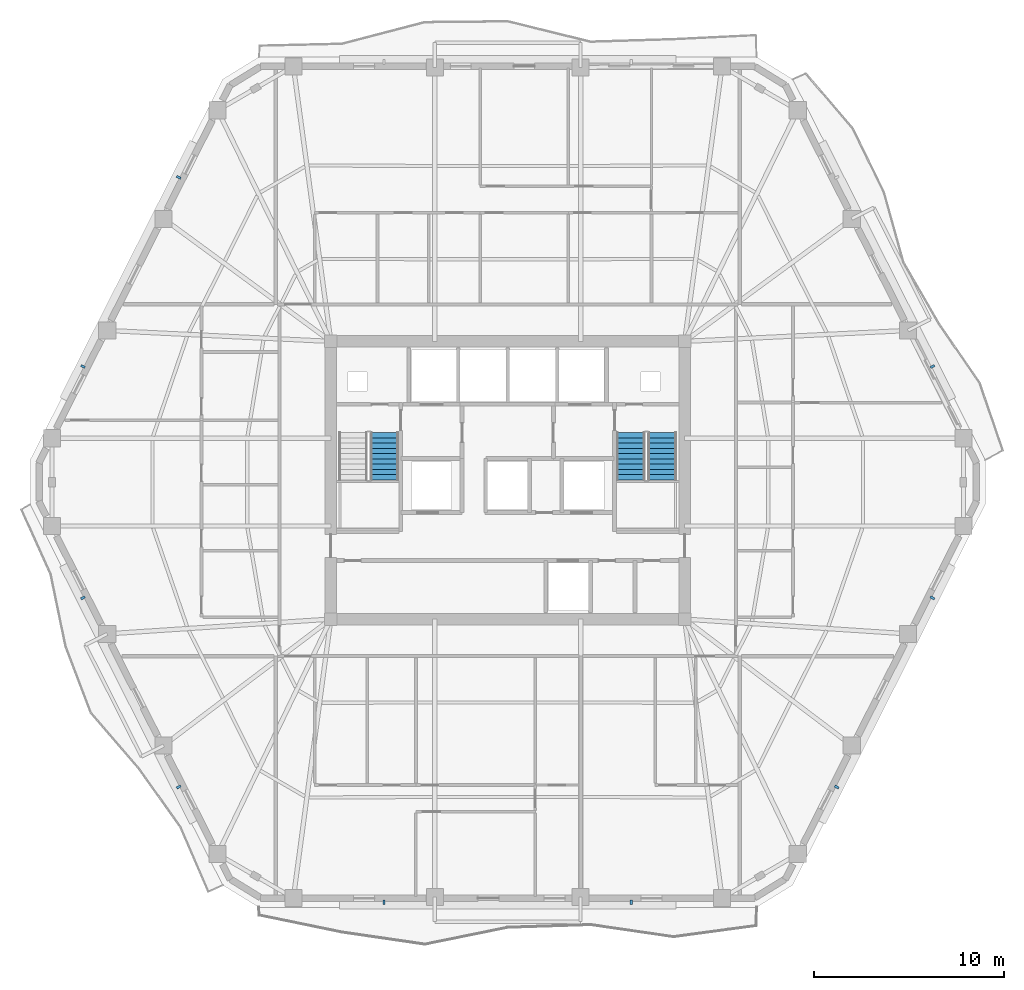
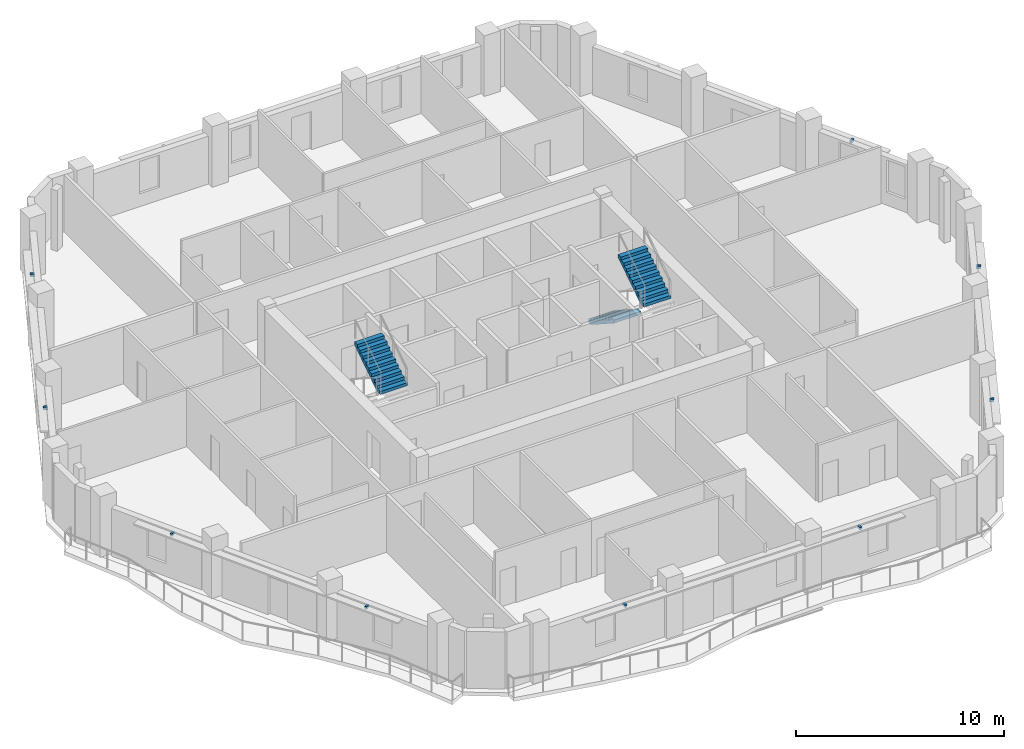
# One storey, part 8 of 12: 9 discrete accessories, 3 stair flights, 2 elements without a shape of their own.
"""IFC4 building model written with IfcOpenShell, lengths in metres."""

from ifc_helpers import new_model, si_unit, direction, frame, origin, origin_2d, place, context, subcontext, project, spatial, polyline, rectangle, outline, extrude, material, type_object, element, aggregate, save


model = new_model("IFC4")

# Units and contexts
model_context = context("Model", 3, precision=1e-05, world=origin(), true_north=direction((0.0, 1.0)))
body_context = subcontext(model_context, "Body", "Model", "MODEL_VIEW")
ifc_project = project(units=[si_unit("LENGTHUNIT", "METRE"), si_unit("AREAUNIT", "SQUARE_METRE"), si_unit("VOLUMEUNIT", "CUBIC_METRE"), si_unit("PLANEANGLEUNIT", "RADIAN"), si_unit("MASSUNIT", "GRAM", prefix="KILO")], contexts=[model_context])

# Site, building, storey
site_placement = place(None, origin())
site = spatial("IfcSite", under=ifc_project, at=site_placement, CompositionType="ELEMENT")
building_placement = place(site_placement, origin())
building = spatial("IfcBuilding", under=site, at=building_placement, Name="Cinnabar Lancet Tower", CompositionType="ELEMENT")
storey_placement = place(building_placement, frame((0.0, 0.0, 157.050048828125)))
storey = spatial("IfcBuildingStorey", under=building, at=storey_placement, Name="L41", CompositionType="ELEMENT", Elevation=157.050048828125)

# Stair, stair flight
ifc_material_1 = material(Name="Concrete C40/50", Category="concrete")
stair_type = type_object("IfcStairType", Name="ST-CORE", PredefinedType="HALF_TURN_STAIR", material=ifc_material_1)
stair_1_placement = place(storey_placement, origin())
stair_1 = element("IfcStair", 1, at=stair_1_placement, inside=storey, type_object=stair_type, Name="L41 ST-1", PredefinedType="HALF_TURN_STAIR")
ifc_material_2 = material(Name="Concrete C40/50", Category="concrete")
stair_flight_type = type_object("IfcStairFlightType", Name="FLIGHT-CORE", PredefinedType="STRAIGHT", material=ifc_material_2)
stair_flight_1_placement = place(storey_placement, frame((25.925048828125, 25.925048828125, 1.77490234375), z_axis=(0.0, 0.0, 1.0), x_axis=(0.0, 1.0, 0.0)))
stair_flight_1 = element("IfcStairFlight", 2, at=stair_flight_1_placement, type_object=stair_flight_type, Name="ST-1 flight 2", NumberOfRisers=10, NumberOfTreads=9, PredefinedType="STRAIGHT", RiserHeight=0.1775, TreadLength=0.275, context=body_context, shape_type="SweptSolid", body=[
    extrude(outline(polyline([(0.0, 0.0), (0.0, 0.177490234375), (0.27490234375, 0.177490234375), (0.27490234375, 0.35498046875), (0.550048828125, 0.35498046875), (0.550048828125, 0.532470703125), (0.824951171875, 0.532470703125), (0.824951171875, 0.7099609375), (1.10009765625, 0.7099609375), (1.10009765625, 0.887451171875), (1.375, 0.887451171875), (1.375, 1.06494140625), (1.64990234375, 1.06494140625), (1.64990234375, 1.242431640625), (1.925048828125, 1.242431640625), (1.925048828125, 1.419921875), (2.199951171875, 1.419921875), (2.199951171875, 1.597412109375), (2.47509765625, 1.597412109375), (2.47509765625, 1.77490234375), (2.47509765625, 1.419189453125), (0.2763671875, 0.0), (0.0, 0.0)])), frame((0.0, 0.75, 0.0), z_axis=(0.0, -1.0, 0.0), x_axis=(1.0, 0.0, 0.0)), (0.0, 0.0, 1.0), 1.5),
])
aggregate(stair_1, [stair_flight_1])

# Stair, stair flights
stair_2_placement = place(storey_placement, origin())
stair_2 = element("IfcStair", 3, at=stair_2_placement, inside=storey, type_object=stair_type, Name="L41 ST-2", PredefinedType="HALF_TURN_STAIR")
stair_flight_2_placement = place(storey_placement, frame((38.875, 28.39990234375, 0.0), z_axis=(0.0, 0.0, 1.0), x_axis=(0.0, -1.0, 0.0)))
stair_flight_2 = element("IfcStairFlight", 4, at=stair_flight_2_placement, type_object=stair_flight_type, Name="ST-2 flight 1", NumberOfRisers=10, NumberOfTreads=9, PredefinedType="STRAIGHT", RiserHeight=0.1775, TreadLength=0.275, context=body_context, shape_type="SweptSolid", body=[
    extrude(outline(polyline([(0.0, 0.0), (0.0, 0.177490234375), (0.27490234375, 0.177490234375), (0.27490234375, 0.35498046875), (0.550048828125, 0.35498046875), (0.550048828125, 0.532470703125), (0.824951171875, 0.532470703125), (0.824951171875, 0.7099609375), (1.10009765625, 0.7099609375), (1.10009765625, 0.887451171875), (1.375, 0.887451171875), (1.375, 1.06494140625), (1.64990234375, 1.06494140625), (1.64990234375, 1.242431640625), (1.925048828125, 1.242431640625), (1.925048828125, 1.419921875), (2.199951171875, 1.419921875), (2.199951171875, 1.597412109375), (2.47509765625, 1.597412109375), (2.47509765625, 1.77490234375), (2.47509765625, 1.419189453125), (0.2763671875, 0.0), (0.0, 0.0)])), frame((0.0, 0.75, 0.0), z_axis=(0.0, -1.0, 0.0), x_axis=(1.0, 0.0, 0.0)), (0.0, 0.0, 1.0), 1.5),
])
stair_flight_3_placement = place(storey_placement, frame((40.52490234375, 25.925048828125, 1.77490234375), z_axis=(0.0, 0.0, 1.0), x_axis=(0.0, 1.0, 0.0)))
stair_flight_3 = element("IfcStairFlight", 5, at=stair_flight_3_placement, type_object=stair_flight_type, Name="ST-2 flight 2", NumberOfRisers=10, NumberOfTreads=9, PredefinedType="STRAIGHT", RiserHeight=0.1775, TreadLength=0.275, context=body_context, shape_type="SweptSolid", body=[
    extrude(outline(polyline([(0.0, 0.0), (0.0, 0.177490234375), (0.27490234375, 0.177490234375), (0.27490234375, 0.35498046875), (0.550048828125, 0.35498046875), (0.550048828125, 0.532470703125), (0.824951171875, 0.532470703125), (0.824951171875, 0.7099609375), (1.10009765625, 0.7099609375), (1.10009765625, 0.887451171875), (1.375, 0.887451171875), (1.375, 1.06494140625), (1.64990234375, 1.06494140625), (1.64990234375, 1.242431640625), (1.925048828125, 1.242431640625), (1.925048828125, 1.419921875), (2.199951171875, 1.419921875), (2.199951171875, 1.597412109375), (2.47509765625, 1.597412109375), (2.47509765625, 1.77490234375), (2.47509765625, 1.419189453125), (0.2763671875, 0.0), (0.0, 0.0)])), frame((0.0, 0.75, 0.0), z_axis=(0.0, -1.0, 0.0), x_axis=(1.0, 0.0, 0.0)), (0.0, 0.0, 1.0), 1.5),
])
aggregate(stair_2, [stair_flight_2, stair_flight_3])

# Discrete accessories
ifc_material_3 = material(Name="Stainless steel 316 facade fixing bracket", Category="steel")
discrete_accessory_type = type_object("IfcDiscreteAccessoryType", Name="ENV-ACC-BRK-180", PredefinedType="BRACKET", material=ifc_material_3)
for number, where, z_axis, x_axis, name in (
    (6, (25.89892578125, 3.7099609375, 2.60009765625), (0.0, 0.0, 1.0), (1.0, 0.0, 0.0), "L41 Face 1 Sunshade Bracket A"),
    (7, (38.90087890625, 3.7099609375, 2.60009765625), (0.0, 0.0, 1.0), (1.0, 0.0, 0.0), "L41 Face 1 Sunshade Bracket B"),
    (8, (49.698974609375, 9.77197265625, 2.60009765625), (0.0, 0.0, 1.0), (0.451453853408, 0.892294468347, 0.0), "L41 Face 2 Sunshade Bracket A"),
    (9, (54.72998046875, 19.717041015625, 2.60009765625), (0.0, 0.0, 1.0), (0.451453853408, 0.892294468347, 0.0), "L41 Face 2 Sunshade Bracket B"),
    (10, (54.72998046875, 31.883056640625, 2.60009765625), (0.0, 0.0, 1.0), (-0.451453853408, 0.892294468347, 0.0), "L41 Face 3 Sunshade Bracket A"),
    (11, (15.10107421875, 41.827880859375, 2.60009765625), (0.0, 0.0, 1.0), (-0.451453853408, -0.892294468347, 0.0), "L41 Face 5 Sunshade Bracket A"),
    (12, (10.070068359375, 31.883056640625, 2.60009765625), (0.0, 0.0, 1.0), (-0.451453853408, -0.892294468347, 0.0), "L41 Face 5 Sunshade Bracket B"),
    (13, (10.070068359375, 19.717041015625, 2.60009765625), (0.0, 0.0, 1.0), (0.451453853408, -0.892294468347, 0.0), "L41 Face 6 Sunshade Bracket A"),
    (14, (15.10107421875, 9.77197265625, 2.60009765625), (0.0, 0.0, 1.0), (0.451453853408, -0.892294468347, 0.0), "L41 Face 6 Sunshade Bracket B"),
):
    element("IfcDiscreteAccessory", number, at=place(storey_placement, frame(where, z_axis=z_axis, x_axis=x_axis)), inside=storey, type_object=discrete_accessory_type, Name=name, PredefinedType="BRACKET", context=body_context, shape_type="SweptSolid", body=[
        extrude(rectangle(XDim=0.1201171875, YDim=0.239990234375, at=origin_2d()), origin(), (0.0, 0.0, 1.0), 0.159912109375),
    ])

save(model, "model.ifc")
